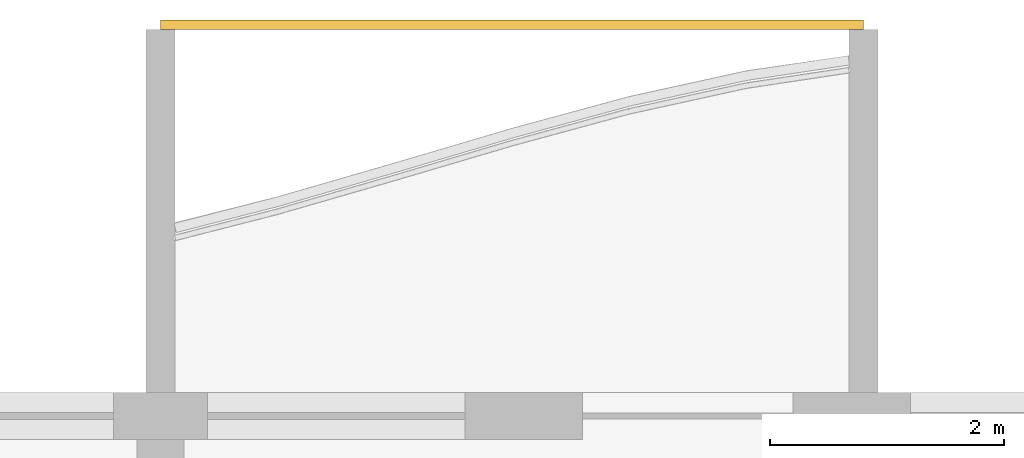
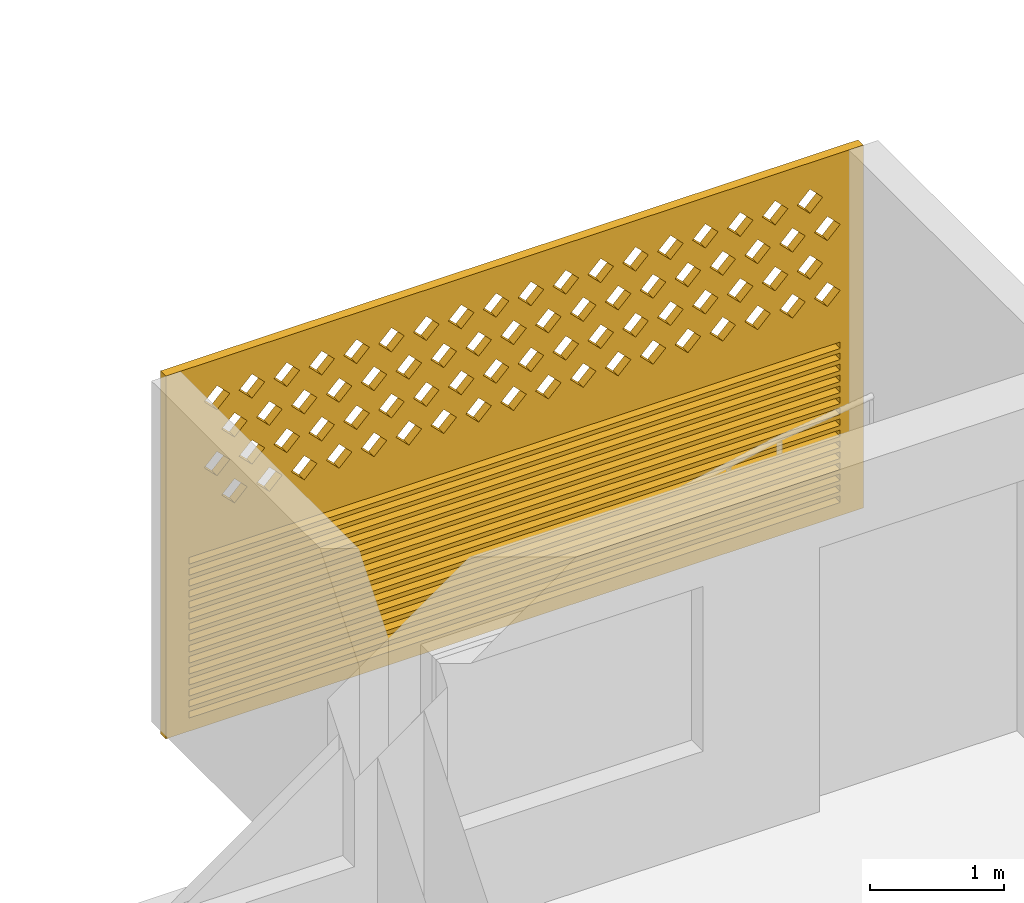
# One storey, part 40 of 44: 1 covering.
"""IFC4 building model written with IfcOpenShell, lengths in metres."""

from ifc_helpers import new_model, si_unit, direction, frame, origin, place, context, subcontext, project, spatial, polyline, outline, extrude, source, transform, mapped, material, material_profile, profile_set, type_object, element, save


model = new_model("IFC4")

# Units and contexts
model_context = context("Model", 3, precision=1e-05, world=origin(), true_north=direction((0.0, 1.0)))
body_context = subcontext(model_context, "Body", "Model", "MODEL_VIEW")
ifc_project = project(units=[si_unit("LENGTHUNIT", "METRE"), si_unit("AREAUNIT", "SQUARE_METRE"), si_unit("VOLUMEUNIT", "CUBIC_METRE"), si_unit("PLANEANGLEUNIT", "RADIAN"), si_unit("MASSUNIT", "GRAM", prefix="KILO")], contexts=[model_context])

# Site, building, storey
site_placement = place(None, origin())
site = spatial("IfcSite", under=ifc_project, at=site_placement, CompositionType="ELEMENT")
building_placement = place(site_placement, origin())
building = spatial("IfcBuilding", under=site, at=building_placement, Name="Poui Terraces", CompositionType="ELEMENT")
storey_placement = place(building_placement, frame((0.0, 0.0, 26.699951171875)))
storey = spatial("IfcBuildingStorey", under=building, at=storey_placement, Name="L06", CompositionType="ELEMENT", Elevation=26.699951171875)

# Covering
ifc_material = material(Name="Terracotta screen", Category="masonry")
ifc_material_profile = material_profile(ifc_material, outline(polyline([(-3.0, -1.64990234375), (3.0, -1.64990234375), (3.0, 1.64990234375), (-3.0, 1.64990234375), (-3.0, -1.64990234375)]), holes=[polyline([(-2.800048828125, 0.39990234375), (-2.68994140625, 0.2900390625), (-2.580078125, 0.39990234375), (-2.68994140625, 0.510009765625), (-2.800048828125, 0.39990234375)]), polyline([(-2.5, 0.39990234375), (-2.389892578125, 0.2900390625), (-2.280029296875, 0.39990234375), (-2.389892578125, 0.510009765625), (-2.5, 0.39990234375)]), polyline([(-2.199951171875, 0.39990234375), (-2.090087890625, 0.2900390625), (-1.97998046875, 0.39990234375), (-2.090087890625, 0.510009765625), (-2.199951171875, 0.39990234375)]), polyline([(-1.89990234375, 0.39990234375), (-1.7900390625, 0.2900390625), (-1.679931640625, 0.39990234375), (-1.7900390625, 0.510009765625), (-1.89990234375, 0.39990234375)]), polyline([(-1.60009765625, 0.39990234375), (-1.489990234375, 0.2900390625), (-1.3798828125, 0.39990234375), (-1.489990234375, 0.510009765625), (-1.60009765625, 0.39990234375)]), polyline([(-1.300048828125, 0.39990234375), (-1.18994140625, 0.2900390625), (-1.080078125, 0.39990234375), (-1.18994140625, 0.510009765625), (-1.300048828125, 0.39990234375)]), polyline([(-1.0, 0.39990234375), (-0.889892578125, 0.2900390625), (-0.780029296875, 0.39990234375), (-0.889892578125, 0.510009765625), (-1.0, 0.39990234375)]), polyline([(-0.699951171875, 0.39990234375), (-0.590087890625, 0.2900390625), (-0.47998046875, 0.39990234375), (-0.590087890625, 0.510009765625), (-0.699951171875, 0.39990234375)]), polyline([(-0.39990234375, 0.39990234375), (-0.2900390625, 0.2900390625), (-0.179931640625, 0.39990234375), (-0.2900390625, 0.510009765625), (-0.39990234375, 0.39990234375)]), polyline([(-0.10009765625, 0.39990234375), (0.010009765625, 0.2900390625), (0.1201171875, 0.39990234375), (0.010009765625, 0.510009765625), (-0.10009765625, 0.39990234375)]), polyline([(0.199951171875, 0.39990234375), (0.31005859375, 0.2900390625), (0.419921875, 0.39990234375), (0.31005859375, 0.510009765625), (0.199951171875, 0.39990234375)]), polyline([(0.5, 0.39990234375), (0.610107421875, 0.2900390625), (0.719970703125, 0.39990234375), (0.610107421875, 0.510009765625), (0.5, 0.39990234375)]), polyline([(0.800048828125, 0.39990234375), (0.909912109375, 0.2900390625), (1.02001953125, 0.39990234375), (0.909912109375, 0.510009765625), (0.800048828125, 0.39990234375)]), polyline([(1.10009765625, 0.39990234375), (1.2099609375, 0.2900390625), (1.320068359375, 0.39990234375), (1.2099609375, 0.510009765625), (1.10009765625, 0.39990234375)]), polyline([(1.39990234375, 0.39990234375), (1.510009765625, 0.2900390625), (1.6201171875, 0.39990234375), (1.510009765625, 0.510009765625), (1.39990234375, 0.39990234375)]), polyline([(1.699951171875, 0.39990234375), (1.81005859375, 0.2900390625), (1.919921875, 0.39990234375), (1.81005859375, 0.510009765625), (1.699951171875, 0.39990234375)]), polyline([(2.0, 0.39990234375), (2.110107421875, 0.2900390625), (2.219970703125, 0.39990234375), (2.110107421875, 0.510009765625), (2.0, 0.39990234375)]), polyline([(2.300048828125, 0.39990234375), (2.409912109375, 0.2900390625), (2.52001953125, 0.39990234375), (2.409912109375, 0.510009765625), (2.300048828125, 0.39990234375)]), polyline([(-2.64990234375, 0.699951171875), (-2.5400390625, 0.590087890625), (-2.429931640625, 0.699951171875), (-2.5400390625, 0.81005859375), (-2.64990234375, 0.699951171875)]), polyline([(-2.35009765625, 0.699951171875), (-2.239990234375, 0.590087890625), (-2.1298828125, 0.699951171875), (-2.239990234375, 0.81005859375), (-2.35009765625, 0.699951171875)]), polyline([(-2.050048828125, 0.699951171875), (-1.93994140625, 0.590087890625), (-1.830078125, 0.699951171875), (-1.93994140625, 0.81005859375), (-2.050048828125, 0.699951171875)]), polyline([(-1.75, 0.699951171875), (-1.639892578125, 0.590087890625), (-1.530029296875, 0.699951171875), (-1.639892578125, 0.81005859375), (-1.75, 0.699951171875)]), polyline([(-1.449951171875, 0.699951171875), (-1.340087890625, 0.590087890625), (-1.22998046875, 0.699951171875), (-1.340087890625, 0.81005859375), (-1.449951171875, 0.699951171875)]), polyline([(-1.14990234375, 0.699951171875), (-1.0400390625, 0.590087890625), (-0.929931640625, 0.699951171875), (-1.0400390625, 0.81005859375), (-1.14990234375, 0.699951171875)]), polyline([(-0.85009765625, 0.699951171875), (-0.739990234375, 0.590087890625), (-0.6298828125, 0.699951171875), (-0.739990234375, 0.81005859375), (-0.85009765625, 0.699951171875)]), polyline([(-0.550048828125, 0.699951171875), (-0.43994140625, 0.590087890625), (-0.330078125, 0.699951171875), (-0.43994140625, 0.81005859375), (-0.550048828125, 0.699951171875)]), polyline([(-0.25, 0.699951171875), (-0.139892578125, 0.590087890625), (-0.030029296875, 0.699951171875), (-0.139892578125, 0.81005859375), (-0.25, 0.699951171875)]), polyline([(0.050048828125, 0.699951171875), (0.159912109375, 0.590087890625), (0.27001953125, 0.699951171875), (0.159912109375, 0.81005859375), (0.050048828125, 0.699951171875)]), polyline([(0.35009765625, 0.699951171875), (0.4599609375, 0.590087890625), (0.570068359375, 0.699951171875), (0.4599609375, 0.81005859375), (0.35009765625, 0.699951171875)]), polyline([(0.64990234375, 0.699951171875), (0.760009765625, 0.590087890625), (0.8701171875, 0.699951171875), (0.760009765625, 0.81005859375), (0.64990234375, 0.699951171875)]), polyline([(0.949951171875, 0.699951171875), (1.06005859375, 0.590087890625), (1.169921875, 0.699951171875), (1.06005859375, 0.81005859375), (0.949951171875, 0.699951171875)]), polyline([(1.25, 0.699951171875), (1.360107421875, 0.590087890625), (1.469970703125, 0.699951171875), (1.360107421875, 0.81005859375), (1.25, 0.699951171875)]), polyline([(1.550048828125, 0.699951171875), (1.659912109375, 0.590087890625), (1.77001953125, 0.699951171875), (1.659912109375, 0.81005859375), (1.550048828125, 0.699951171875)]), polyline([(1.85009765625, 0.699951171875), (1.9599609375, 0.590087890625), (2.070068359375, 0.699951171875), (1.9599609375, 0.81005859375), (1.85009765625, 0.699951171875)]), polyline([(2.14990234375, 0.699951171875), (2.260009765625, 0.590087890625), (2.3701171875, 0.699951171875), (2.260009765625, 0.81005859375), (2.14990234375, 0.699951171875)]), polyline([(2.449951171875, 0.699951171875), (2.56005859375, 0.590087890625), (2.669921875, 0.699951171875), (2.56005859375, 0.81005859375), (2.449951171875, 0.699951171875)]), polyline([(-2.800048828125, 1.0), (-2.68994140625, 0.889892578125), (-2.580078125, 1.0), (-2.68994140625, 1.110107421875), (-2.800048828125, 1.0)]), polyline([(-2.5, 1.0), (-2.389892578125, 0.889892578125), (-2.280029296875, 1.0), (-2.389892578125, 1.110107421875), (-2.5, 1.0)]), polyline([(-2.199951171875, 1.0), (-2.090087890625, 0.889892578125), (-1.97998046875, 1.0), (-2.090087890625, 1.110107421875), (-2.199951171875, 1.0)]), polyline([(-1.89990234375, 1.0), (-1.7900390625, 0.889892578125), (-1.679931640625, 1.0), (-1.7900390625, 1.110107421875), (-1.89990234375, 1.0)]), polyline([(-1.60009765625, 1.0), (-1.489990234375, 0.889892578125), (-1.3798828125, 1.0), (-1.489990234375, 1.110107421875), (-1.60009765625, 1.0)]), polyline([(-1.300048828125, 1.0), (-1.18994140625, 0.889892578125), (-1.080078125, 1.0), (-1.18994140625, 1.110107421875), (-1.300048828125, 1.0)]), polyline([(-1.0, 1.0), (-0.889892578125, 0.889892578125), (-0.780029296875, 1.0), (-0.889892578125, 1.110107421875), (-1.0, 1.0)]), polyline([(-0.699951171875, 1.0), (-0.590087890625, 0.889892578125), (-0.47998046875, 1.0), (-0.590087890625, 1.110107421875), (-0.699951171875, 1.0)]), polyline([(-0.39990234375, 1.0), (-0.2900390625, 0.889892578125), (-0.179931640625, 1.0), (-0.2900390625, 1.110107421875), (-0.39990234375, 1.0)]), polyline([(-0.10009765625, 1.0), (0.010009765625, 0.889892578125), (0.1201171875, 1.0), (0.010009765625, 1.110107421875), (-0.10009765625, 1.0)]), polyline([(0.199951171875, 1.0), (0.31005859375, 0.889892578125), (0.419921875, 1.0), (0.31005859375, 1.110107421875), (0.199951171875, 1.0)]), polyline([(0.5, 1.0), (0.610107421875, 0.889892578125), (0.719970703125, 1.0), (0.610107421875, 1.110107421875), (0.5, 1.0)]), polyline([(0.800048828125, 1.0), (0.909912109375, 0.889892578125), (1.02001953125, 1.0), (0.909912109375, 1.110107421875), (0.800048828125, 1.0)]), polyline([(1.10009765625, 1.0), (1.2099609375, 0.889892578125), (1.320068359375, 1.0), (1.2099609375, 1.110107421875), (1.10009765625, 1.0)]), polyline([(1.39990234375, 1.0), (1.510009765625, 0.889892578125), (1.6201171875, 1.0), (1.510009765625, 1.110107421875), (1.39990234375, 1.0)]), polyline([(1.699951171875, 1.0), (1.81005859375, 0.889892578125), (1.919921875, 1.0), (1.81005859375, 1.110107421875), (1.699951171875, 1.0)]), polyline([(2.0, 1.0), (2.110107421875, 0.889892578125), (2.219970703125, 1.0), (2.110107421875, 1.110107421875), (2.0, 1.0)]), polyline([(2.300048828125, 1.0), (2.409912109375, 0.889892578125), (2.52001953125, 1.0), (2.409912109375, 1.110107421875), (2.300048828125, 1.0)]), polyline([(-2.64990234375, 1.300048828125), (-2.5400390625, 1.18994140625), (-2.429931640625, 1.300048828125), (-2.5400390625, 1.409912109375), (-2.64990234375, 1.300048828125)]), polyline([(-2.35009765625, 1.300048828125), (-2.239990234375, 1.18994140625), (-2.1298828125, 1.300048828125), (-2.239990234375, 1.409912109375), (-2.35009765625, 1.300048828125)]), polyline([(-2.050048828125, 1.300048828125), (-1.93994140625, 1.18994140625), (-1.830078125, 1.300048828125), (-1.93994140625, 1.409912109375), (-2.050048828125, 1.300048828125)]), polyline([(-1.75, 1.300048828125), (-1.639892578125, 1.18994140625), (-1.530029296875, 1.300048828125), (-1.639892578125, 1.409912109375), (-1.75, 1.300048828125)]), polyline([(-1.449951171875, 1.300048828125), (-1.340087890625, 1.18994140625), (-1.22998046875, 1.300048828125), (-1.340087890625, 1.409912109375), (-1.449951171875, 1.300048828125)]), polyline([(-1.14990234375, 1.300048828125), (-1.0400390625, 1.18994140625), (-0.929931640625, 1.300048828125), (-1.0400390625, 1.409912109375), (-1.14990234375, 1.300048828125)]), polyline([(-0.85009765625, 1.300048828125), (-0.739990234375, 1.18994140625), (-0.6298828125, 1.300048828125), (-0.739990234375, 1.409912109375), (-0.85009765625, 1.300048828125)]), polyline([(-0.550048828125, 1.300048828125), (-0.43994140625, 1.18994140625), (-0.330078125, 1.300048828125), (-0.43994140625, 1.409912109375), (-0.550048828125, 1.300048828125)]), polyline([(-0.25, 1.300048828125), (-0.139892578125, 1.18994140625), (-0.030029296875, 1.300048828125), (-0.139892578125, 1.409912109375), (-0.25, 1.300048828125)]), polyline([(0.050048828125, 1.300048828125), (0.159912109375, 1.18994140625), (0.27001953125, 1.300048828125), (0.159912109375, 1.409912109375), (0.050048828125, 1.300048828125)]), polyline([(0.35009765625, 1.300048828125), (0.4599609375, 1.18994140625), (0.570068359375, 1.300048828125), (0.4599609375, 1.409912109375), (0.35009765625, 1.300048828125)]), polyline([(0.64990234375, 1.300048828125), (0.760009765625, 1.18994140625), (0.8701171875, 1.300048828125), (0.760009765625, 1.409912109375), (0.64990234375, 1.300048828125)]), polyline([(0.949951171875, 1.300048828125), (1.06005859375, 1.18994140625), (1.169921875, 1.300048828125), (1.06005859375, 1.409912109375), (0.949951171875, 1.300048828125)]), polyline([(1.25, 1.300048828125), (1.360107421875, 1.18994140625), (1.469970703125, 1.300048828125), (1.360107421875, 1.409912109375), (1.25, 1.300048828125)]), polyline([(1.550048828125, 1.300048828125), (1.659912109375, 1.18994140625), (1.77001953125, 1.300048828125), (1.659912109375, 1.409912109375), (1.550048828125, 1.300048828125)]), polyline([(1.85009765625, 1.300048828125), (1.9599609375, 1.18994140625), (2.070068359375, 1.300048828125), (1.9599609375, 1.409912109375), (1.85009765625, 1.300048828125)]), polyline([(2.14990234375, 1.300048828125), (2.260009765625, 1.18994140625), (2.3701171875, 1.300048828125), (2.260009765625, 1.409912109375), (2.14990234375, 1.300048828125)]), polyline([(2.449951171875, 1.300048828125), (2.56005859375, 1.18994140625), (2.669921875, 1.300048828125), (2.56005859375, 1.409912109375), (2.449951171875, 1.300048828125)]), polyline([(-2.800048828125, -1.530029296875), (2.800048828125, -1.530029296875), (2.800048828125, -1.469970703125), (-2.800048828125, -1.469970703125), (-2.800048828125, -1.530029296875)]), polyline([(-2.800048828125, -1.429931640625), (2.800048828125, -1.429931640625), (2.800048828125, -1.3701171875), (-2.800048828125, -1.3701171875), (-2.800048828125, -1.429931640625)]), polyline([(-2.800048828125, -1.330078125), (2.800048828125, -1.330078125), (2.800048828125, -1.27001953125), (-2.800048828125, -1.27001953125), (-2.800048828125, -1.330078125)]), polyline([(-2.800048828125, -1.22998046875), (2.800048828125, -1.22998046875), (2.800048828125, -1.169921875), (-2.800048828125, -1.169921875), (-2.800048828125, -1.22998046875)]), polyline([(-2.800048828125, -1.1298828125), (2.800048828125, -1.1298828125), (2.800048828125, -1.070068359375), (-2.800048828125, -1.070068359375), (-2.800048828125, -1.1298828125)]), polyline([(-2.800048828125, -1.030029296875), (2.800048828125, -1.030029296875), (2.800048828125, -0.969970703125), (-2.800048828125, -0.969970703125), (-2.800048828125, -1.030029296875)]), polyline([(-2.800048828125, -0.929931640625), (2.800048828125, -0.929931640625), (2.800048828125, -0.8701171875), (-2.800048828125, -0.8701171875), (-2.800048828125, -0.929931640625)]), polyline([(-2.800048828125, -0.830078125), (2.800048828125, -0.830078125), (2.800048828125, -0.77001953125), (-2.800048828125, -0.77001953125), (-2.800048828125, -0.830078125)]), polyline([(-2.800048828125, -0.72998046875), (2.800048828125, -0.72998046875), (2.800048828125, -0.669921875), (-2.800048828125, -0.669921875), (-2.800048828125, -0.72998046875)]), polyline([(-2.800048828125, -0.6298828125), (2.800048828125, -0.6298828125), (2.800048828125, -0.570068359375), (-2.800048828125, -0.570068359375), (-2.800048828125, -0.6298828125)]), polyline([(-2.800048828125, -0.530029296875), (2.800048828125, -0.530029296875), (2.800048828125, -0.469970703125), (-2.800048828125, -0.469970703125), (-2.800048828125, -0.530029296875)]), polyline([(-2.800048828125, -0.429931640625), (2.800048828125, -0.429931640625), (2.800048828125, -0.3701171875), (-2.800048828125, -0.3701171875), (-2.800048828125, -0.429931640625)]), polyline([(-2.800048828125, -0.330078125), (2.800048828125, -0.330078125), (2.800048828125, -0.27001953125), (-2.800048828125, -0.27001953125), (-2.800048828125, -0.330078125)]), polyline([(-2.800048828125, -0.22998046875), (2.800048828125, -0.22998046875), (2.800048828125, -0.169921875), (-2.800048828125, -0.169921875), (-2.800048828125, -0.22998046875)]), polyline([(-2.800048828125, -0.1298828125), (2.800048828125, -0.1298828125), (2.800048828125, -0.070068359375), (-2.800048828125, -0.070068359375), (-2.800048828125, -0.1298828125)])]), Name="TERRACOTTA SCREEN AND JALOUSIE LOUVRE 6000X3300")
ifc_profile_set = profile_set([ifc_material_profile], Name="Terracotta screen")
covering_type = type_object("IfcCoveringType", Name="TERRACOTTA SCREEN AND JALOUSIE LOUVRE 6000X3300", PredefinedType="CLADDING", material=ifc_profile_set)
shared_shape = source(origin(), body_context, "Body", "SweptSolid", [
    extrude(outline(polyline([(-3.0, -1.64990234375), (3.0, -1.64990234375), (3.0, 1.64990234375), (-3.0, 1.64990234375), (-3.0, -1.64990234375)]), holes=[polyline([(-2.800048828125, 0.39990234375), (-2.68994140625, 0.2900390625), (-2.580078125, 0.39990234375), (-2.68994140625, 0.510009765625), (-2.800048828125, 0.39990234375)]), polyline([(-2.5, 0.39990234375), (-2.389892578125, 0.2900390625), (-2.280029296875, 0.39990234375), (-2.389892578125, 0.510009765625), (-2.5, 0.39990234375)]), polyline([(-2.199951171875, 0.39990234375), (-2.090087890625, 0.2900390625), (-1.97998046875, 0.39990234375), (-2.090087890625, 0.510009765625), (-2.199951171875, 0.39990234375)]), polyline([(-1.89990234375, 0.39990234375), (-1.7900390625, 0.2900390625), (-1.679931640625, 0.39990234375), (-1.7900390625, 0.510009765625), (-1.89990234375, 0.39990234375)]), polyline([(-1.60009765625, 0.39990234375), (-1.489990234375, 0.2900390625), (-1.3798828125, 0.39990234375), (-1.489990234375, 0.510009765625), (-1.60009765625, 0.39990234375)]), polyline([(-1.300048828125, 0.39990234375), (-1.18994140625, 0.2900390625), (-1.080078125, 0.39990234375), (-1.18994140625, 0.510009765625), (-1.300048828125, 0.39990234375)]), polyline([(-1.0, 0.39990234375), (-0.889892578125, 0.2900390625), (-0.780029296875, 0.39990234375), (-0.889892578125, 0.510009765625), (-1.0, 0.39990234375)]), polyline([(-0.699951171875, 0.39990234375), (-0.590087890625, 0.2900390625), (-0.47998046875, 0.39990234375), (-0.590087890625, 0.510009765625), (-0.699951171875, 0.39990234375)]), polyline([(-0.39990234375, 0.39990234375), (-0.2900390625, 0.2900390625), (-0.179931640625, 0.39990234375), (-0.2900390625, 0.510009765625), (-0.39990234375, 0.39990234375)]), polyline([(-0.10009765625, 0.39990234375), (0.010009765625, 0.2900390625), (0.1201171875, 0.39990234375), (0.010009765625, 0.510009765625), (-0.10009765625, 0.39990234375)]), polyline([(0.199951171875, 0.39990234375), (0.31005859375, 0.2900390625), (0.419921875, 0.39990234375), (0.31005859375, 0.510009765625), (0.199951171875, 0.39990234375)]), polyline([(0.5, 0.39990234375), (0.610107421875, 0.2900390625), (0.719970703125, 0.39990234375), (0.610107421875, 0.510009765625), (0.5, 0.39990234375)]), polyline([(0.800048828125, 0.39990234375), (0.909912109375, 0.2900390625), (1.02001953125, 0.39990234375), (0.909912109375, 0.510009765625), (0.800048828125, 0.39990234375)]), polyline([(1.10009765625, 0.39990234375), (1.2099609375, 0.2900390625), (1.320068359375, 0.39990234375), (1.2099609375, 0.510009765625), (1.10009765625, 0.39990234375)]), polyline([(1.39990234375, 0.39990234375), (1.510009765625, 0.2900390625), (1.6201171875, 0.39990234375), (1.510009765625, 0.510009765625), (1.39990234375, 0.39990234375)]), polyline([(1.699951171875, 0.39990234375), (1.81005859375, 0.2900390625), (1.919921875, 0.39990234375), (1.81005859375, 0.510009765625), (1.699951171875, 0.39990234375)]), polyline([(2.0, 0.39990234375), (2.110107421875, 0.2900390625), (2.219970703125, 0.39990234375), (2.110107421875, 0.510009765625), (2.0, 0.39990234375)]), polyline([(2.300048828125, 0.39990234375), (2.409912109375, 0.2900390625), (2.52001953125, 0.39990234375), (2.409912109375, 0.510009765625), (2.300048828125, 0.39990234375)]), polyline([(-2.64990234375, 0.699951171875), (-2.5400390625, 0.590087890625), (-2.429931640625, 0.699951171875), (-2.5400390625, 0.81005859375), (-2.64990234375, 0.699951171875)]), polyline([(-2.35009765625, 0.699951171875), (-2.239990234375, 0.590087890625), (-2.1298828125, 0.699951171875), (-2.239990234375, 0.81005859375), (-2.35009765625, 0.699951171875)]), polyline([(-2.050048828125, 0.699951171875), (-1.93994140625, 0.590087890625), (-1.830078125, 0.699951171875), (-1.93994140625, 0.81005859375), (-2.050048828125, 0.699951171875)]), polyline([(-1.75, 0.699951171875), (-1.639892578125, 0.590087890625), (-1.530029296875, 0.699951171875), (-1.639892578125, 0.81005859375), (-1.75, 0.699951171875)]), polyline([(-1.449951171875, 0.699951171875), (-1.340087890625, 0.590087890625), (-1.22998046875, 0.699951171875), (-1.340087890625, 0.81005859375), (-1.449951171875, 0.699951171875)]), polyline([(-1.14990234375, 0.699951171875), (-1.0400390625, 0.590087890625), (-0.929931640625, 0.699951171875), (-1.0400390625, 0.81005859375), (-1.14990234375, 0.699951171875)]), polyline([(-0.85009765625, 0.699951171875), (-0.739990234375, 0.590087890625), (-0.6298828125, 0.699951171875), (-0.739990234375, 0.81005859375), (-0.85009765625, 0.699951171875)]), polyline([(-0.550048828125, 0.699951171875), (-0.43994140625, 0.590087890625), (-0.330078125, 0.699951171875), (-0.43994140625, 0.81005859375), (-0.550048828125, 0.699951171875)]), polyline([(-0.25, 0.699951171875), (-0.139892578125, 0.590087890625), (-0.030029296875, 0.699951171875), (-0.139892578125, 0.81005859375), (-0.25, 0.699951171875)]), polyline([(0.050048828125, 0.699951171875), (0.159912109375, 0.590087890625), (0.27001953125, 0.699951171875), (0.159912109375, 0.81005859375), (0.050048828125, 0.699951171875)]), polyline([(0.35009765625, 0.699951171875), (0.4599609375, 0.590087890625), (0.570068359375, 0.699951171875), (0.4599609375, 0.81005859375), (0.35009765625, 0.699951171875)]), polyline([(0.64990234375, 0.699951171875), (0.760009765625, 0.590087890625), (0.8701171875, 0.699951171875), (0.760009765625, 0.81005859375), (0.64990234375, 0.699951171875)]), polyline([(0.949951171875, 0.699951171875), (1.06005859375, 0.590087890625), (1.169921875, 0.699951171875), (1.06005859375, 0.81005859375), (0.949951171875, 0.699951171875)]), polyline([(1.25, 0.699951171875), (1.360107421875, 0.590087890625), (1.469970703125, 0.699951171875), (1.360107421875, 0.81005859375), (1.25, 0.699951171875)]), polyline([(1.550048828125, 0.699951171875), (1.659912109375, 0.590087890625), (1.77001953125, 0.699951171875), (1.659912109375, 0.81005859375), (1.550048828125, 0.699951171875)]), polyline([(1.85009765625, 0.699951171875), (1.9599609375, 0.590087890625), (2.070068359375, 0.699951171875), (1.9599609375, 0.81005859375), (1.85009765625, 0.699951171875)]), polyline([(2.14990234375, 0.699951171875), (2.260009765625, 0.590087890625), (2.3701171875, 0.699951171875), (2.260009765625, 0.81005859375), (2.14990234375, 0.699951171875)]), polyline([(2.449951171875, 0.699951171875), (2.56005859375, 0.590087890625), (2.669921875, 0.699951171875), (2.56005859375, 0.81005859375), (2.449951171875, 0.699951171875)]), polyline([(-2.800048828125, 1.0), (-2.68994140625, 0.889892578125), (-2.580078125, 1.0), (-2.68994140625, 1.110107421875), (-2.800048828125, 1.0)]), polyline([(-2.5, 1.0), (-2.389892578125, 0.889892578125), (-2.280029296875, 1.0), (-2.389892578125, 1.110107421875), (-2.5, 1.0)]), polyline([(-2.199951171875, 1.0), (-2.090087890625, 0.889892578125), (-1.97998046875, 1.0), (-2.090087890625, 1.110107421875), (-2.199951171875, 1.0)]), polyline([(-1.89990234375, 1.0), (-1.7900390625, 0.889892578125), (-1.679931640625, 1.0), (-1.7900390625, 1.110107421875), (-1.89990234375, 1.0)]), polyline([(-1.60009765625, 1.0), (-1.489990234375, 0.889892578125), (-1.3798828125, 1.0), (-1.489990234375, 1.110107421875), (-1.60009765625, 1.0)]), polyline([(-1.300048828125, 1.0), (-1.18994140625, 0.889892578125), (-1.080078125, 1.0), (-1.18994140625, 1.110107421875), (-1.300048828125, 1.0)]), polyline([(-1.0, 1.0), (-0.889892578125, 0.889892578125), (-0.780029296875, 1.0), (-0.889892578125, 1.110107421875), (-1.0, 1.0)]), polyline([(-0.699951171875, 1.0), (-0.590087890625, 0.889892578125), (-0.47998046875, 1.0), (-0.590087890625, 1.110107421875), (-0.699951171875, 1.0)]), polyline([(-0.39990234375, 1.0), (-0.2900390625, 0.889892578125), (-0.179931640625, 1.0), (-0.2900390625, 1.110107421875), (-0.39990234375, 1.0)]), polyline([(-0.10009765625, 1.0), (0.010009765625, 0.889892578125), (0.1201171875, 1.0), (0.010009765625, 1.110107421875), (-0.10009765625, 1.0)]), polyline([(0.199951171875, 1.0), (0.31005859375, 0.889892578125), (0.419921875, 1.0), (0.31005859375, 1.110107421875), (0.199951171875, 1.0)]), polyline([(0.5, 1.0), (0.610107421875, 0.889892578125), (0.719970703125, 1.0), (0.610107421875, 1.110107421875), (0.5, 1.0)]), polyline([(0.800048828125, 1.0), (0.909912109375, 0.889892578125), (1.02001953125, 1.0), (0.909912109375, 1.110107421875), (0.800048828125, 1.0)]), polyline([(1.10009765625, 1.0), (1.2099609375, 0.889892578125), (1.320068359375, 1.0), (1.2099609375, 1.110107421875), (1.10009765625, 1.0)]), polyline([(1.39990234375, 1.0), (1.510009765625, 0.889892578125), (1.6201171875, 1.0), (1.510009765625, 1.110107421875), (1.39990234375, 1.0)]), polyline([(1.699951171875, 1.0), (1.81005859375, 0.889892578125), (1.919921875, 1.0), (1.81005859375, 1.110107421875), (1.699951171875, 1.0)]), polyline([(2.0, 1.0), (2.110107421875, 0.889892578125), (2.219970703125, 1.0), (2.110107421875, 1.110107421875), (2.0, 1.0)]), polyline([(2.300048828125, 1.0), (2.409912109375, 0.889892578125), (2.52001953125, 1.0), (2.409912109375, 1.110107421875), (2.300048828125, 1.0)]), polyline([(-2.64990234375, 1.300048828125), (-2.5400390625, 1.18994140625), (-2.429931640625, 1.300048828125), (-2.5400390625, 1.409912109375), (-2.64990234375, 1.300048828125)]), polyline([(-2.35009765625, 1.300048828125), (-2.239990234375, 1.18994140625), (-2.1298828125, 1.300048828125), (-2.239990234375, 1.409912109375), (-2.35009765625, 1.300048828125)]), polyline([(-2.050048828125, 1.300048828125), (-1.93994140625, 1.18994140625), (-1.830078125, 1.300048828125), (-1.93994140625, 1.409912109375), (-2.050048828125, 1.300048828125)]), polyline([(-1.75, 1.300048828125), (-1.639892578125, 1.18994140625), (-1.530029296875, 1.300048828125), (-1.639892578125, 1.409912109375), (-1.75, 1.300048828125)]), polyline([(-1.449951171875, 1.300048828125), (-1.340087890625, 1.18994140625), (-1.22998046875, 1.300048828125), (-1.340087890625, 1.409912109375), (-1.449951171875, 1.300048828125)]), polyline([(-1.14990234375, 1.300048828125), (-1.0400390625, 1.18994140625), (-0.929931640625, 1.300048828125), (-1.0400390625, 1.409912109375), (-1.14990234375, 1.300048828125)]), polyline([(-0.85009765625, 1.300048828125), (-0.739990234375, 1.18994140625), (-0.6298828125, 1.300048828125), (-0.739990234375, 1.409912109375), (-0.85009765625, 1.300048828125)]), polyline([(-0.550048828125, 1.300048828125), (-0.43994140625, 1.18994140625), (-0.330078125, 1.300048828125), (-0.43994140625, 1.409912109375), (-0.550048828125, 1.300048828125)]), polyline([(-0.25, 1.300048828125), (-0.139892578125, 1.18994140625), (-0.030029296875, 1.300048828125), (-0.139892578125, 1.409912109375), (-0.25, 1.300048828125)]), polyline([(0.050048828125, 1.300048828125), (0.159912109375, 1.18994140625), (0.27001953125, 1.300048828125), (0.159912109375, 1.409912109375), (0.050048828125, 1.300048828125)]), polyline([(0.35009765625, 1.300048828125), (0.4599609375, 1.18994140625), (0.570068359375, 1.300048828125), (0.4599609375, 1.409912109375), (0.35009765625, 1.300048828125)]), polyline([(0.64990234375, 1.300048828125), (0.760009765625, 1.18994140625), (0.8701171875, 1.300048828125), (0.760009765625, 1.409912109375), (0.64990234375, 1.300048828125)]), polyline([(0.949951171875, 1.300048828125), (1.06005859375, 1.18994140625), (1.169921875, 1.300048828125), (1.06005859375, 1.409912109375), (0.949951171875, 1.300048828125)]), polyline([(1.25, 1.300048828125), (1.360107421875, 1.18994140625), (1.469970703125, 1.300048828125), (1.360107421875, 1.409912109375), (1.25, 1.300048828125)]), polyline([(1.550048828125, 1.300048828125), (1.659912109375, 1.18994140625), (1.77001953125, 1.300048828125), (1.659912109375, 1.409912109375), (1.550048828125, 1.300048828125)]), polyline([(1.85009765625, 1.300048828125), (1.9599609375, 1.18994140625), (2.070068359375, 1.300048828125), (1.9599609375, 1.409912109375), (1.85009765625, 1.300048828125)]), polyline([(2.14990234375, 1.300048828125), (2.260009765625, 1.18994140625), (2.3701171875, 1.300048828125), (2.260009765625, 1.409912109375), (2.14990234375, 1.300048828125)]), polyline([(2.449951171875, 1.300048828125), (2.56005859375, 1.18994140625), (2.669921875, 1.300048828125), (2.56005859375, 1.409912109375), (2.449951171875, 1.300048828125)]), polyline([(-2.800048828125, -1.530029296875), (2.800048828125, -1.530029296875), (2.800048828125, -1.469970703125), (-2.800048828125, -1.469970703125), (-2.800048828125, -1.530029296875)]), polyline([(-2.800048828125, -1.429931640625), (2.800048828125, -1.429931640625), (2.800048828125, -1.3701171875), (-2.800048828125, -1.3701171875), (-2.800048828125, -1.429931640625)]), polyline([(-2.800048828125, -1.330078125), (2.800048828125, -1.330078125), (2.800048828125, -1.27001953125), (-2.800048828125, -1.27001953125), (-2.800048828125, -1.330078125)]), polyline([(-2.800048828125, -1.22998046875), (2.800048828125, -1.22998046875), (2.800048828125, -1.169921875), (-2.800048828125, -1.169921875), (-2.800048828125, -1.22998046875)]), polyline([(-2.800048828125, -1.1298828125), (2.800048828125, -1.1298828125), (2.800048828125, -1.070068359375), (-2.800048828125, -1.070068359375), (-2.800048828125, -1.1298828125)]), polyline([(-2.800048828125, -1.030029296875), (2.800048828125, -1.030029296875), (2.800048828125, -0.969970703125), (-2.800048828125, -0.969970703125), (-2.800048828125, -1.030029296875)]), polyline([(-2.800048828125, -0.929931640625), (2.800048828125, -0.929931640625), (2.800048828125, -0.8701171875), (-2.800048828125, -0.8701171875), (-2.800048828125, -0.929931640625)]), polyline([(-2.800048828125, -0.830078125), (2.800048828125, -0.830078125), (2.800048828125, -0.77001953125), (-2.800048828125, -0.77001953125), (-2.800048828125, -0.830078125)]), polyline([(-2.800048828125, -0.72998046875), (2.800048828125, -0.72998046875), (2.800048828125, -0.669921875), (-2.800048828125, -0.669921875), (-2.800048828125, -0.72998046875)]), polyline([(-2.800048828125, -0.6298828125), (2.800048828125, -0.6298828125), (2.800048828125, -0.570068359375), (-2.800048828125, -0.570068359375), (-2.800048828125, -0.6298828125)]), polyline([(-2.800048828125, -0.530029296875), (2.800048828125, -0.530029296875), (2.800048828125, -0.469970703125), (-2.800048828125, -0.469970703125), (-2.800048828125, -0.530029296875)]), polyline([(-2.800048828125, -0.429931640625), (2.800048828125, -0.429931640625), (2.800048828125, -0.3701171875), (-2.800048828125, -0.3701171875), (-2.800048828125, -0.429931640625)]), polyline([(-2.800048828125, -0.330078125), (2.800048828125, -0.330078125), (2.800048828125, -0.27001953125), (-2.800048828125, -0.27001953125), (-2.800048828125, -0.330078125)]), polyline([(-2.800048828125, -0.22998046875), (2.800048828125, -0.22998046875), (2.800048828125, -0.169921875), (-2.800048828125, -0.169921875), (-2.800048828125, -0.22998046875)]), polyline([(-2.800048828125, -0.1298828125), (2.800048828125, -0.1298828125), (2.800048828125, -0.070068359375), (-2.800048828125, -0.070068359375), (-2.800048828125, -0.1298828125)])]), origin(), (0.0, 0.0, 1.0), 0.079833984375),
])
covering_placement = place(storey_placement, frame((75.0, 48.10009765625, 1.449951171875), z_axis=(0.0, 1.0, 0.0), x_axis=(-1.0, 0.0, 0.0)))
element("IfcCovering", 1, at=covering_placement, inside=storey, type_object=covering_type, Name="SOLAR SCREEN AND JALOUSIE LOUVRE", PredefinedType="CLADDING", context=body_context, shape_type="MappedRepresentation", body=[
    mapped(shared_shape, transform((0.0, 0.0, 0.0))),
])

save(model, "model.ifc")
